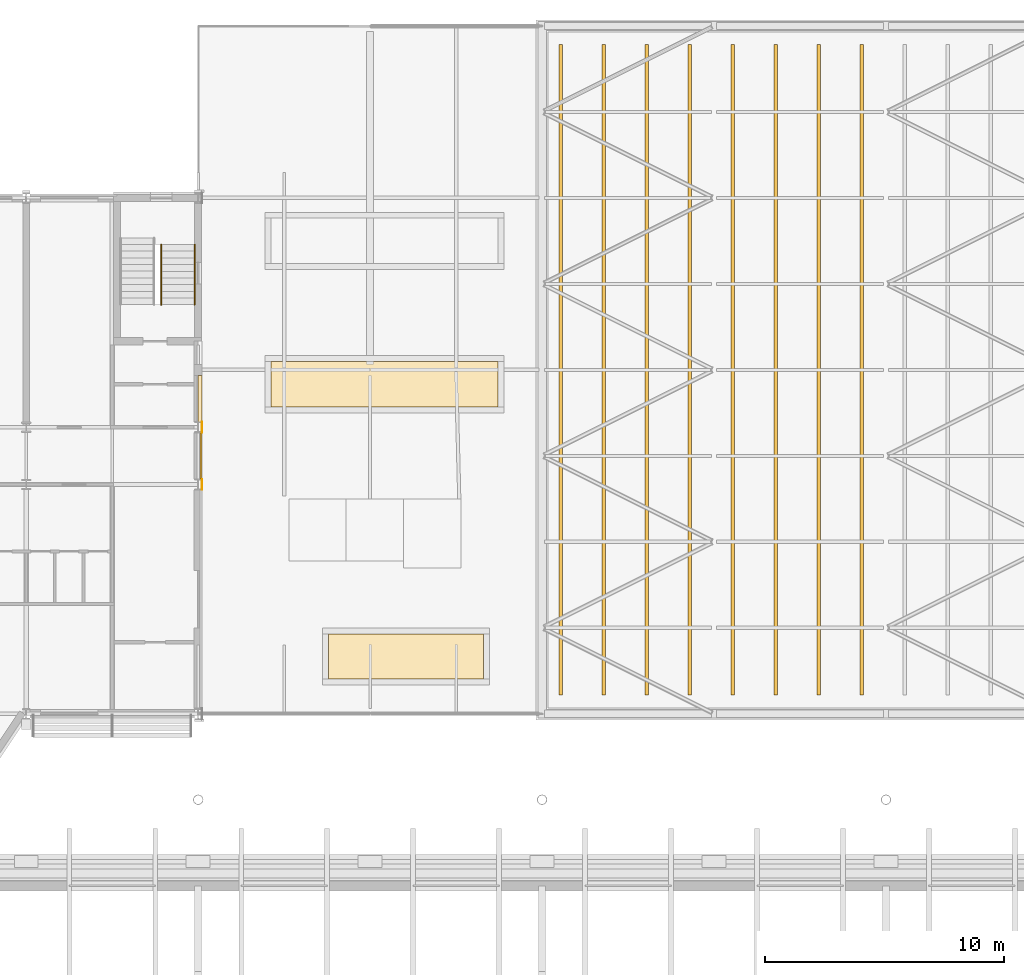
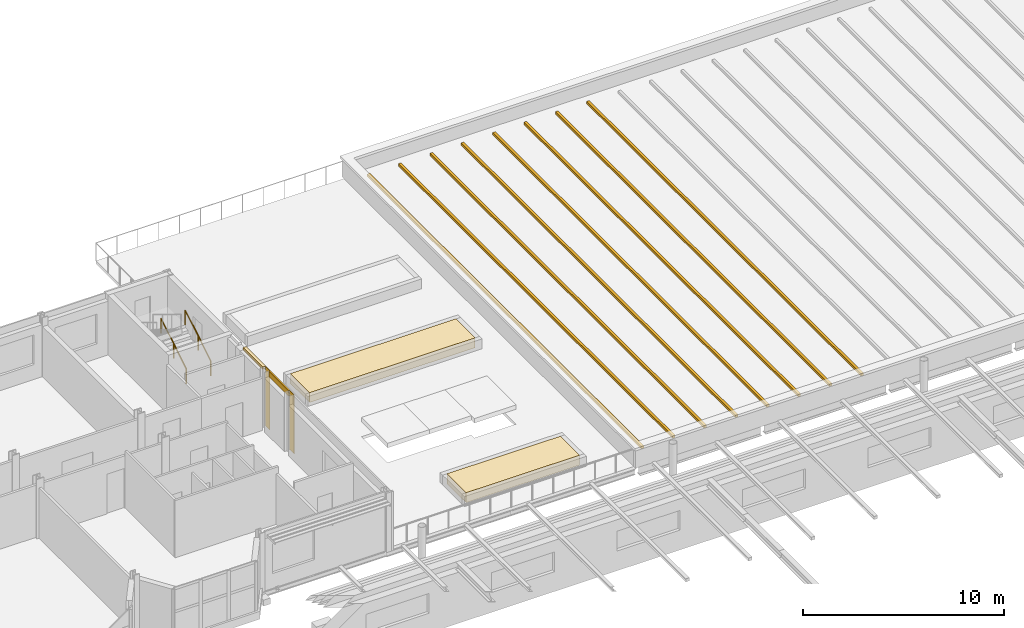
# One storey, part 107 of 110: 14 coverings, 2 railings.
"""IFC4 building model written with IfcOpenShell, lengths in metres."""

from ifc_helpers import new_model, si_unit, direction, frame, origin, origin_2d, place, context, subcontext, project, spatial, rectangle, circle, extrude, material, layer, layer_set, type_object, element, save


model = new_model("IFC4")

# Units and contexts
model_context = context("Model", 3, precision=1e-05, world=origin(), true_north=direction((0.0, 1.0)))
body_context = subcontext(model_context, "Body", "Model", "MODEL_VIEW")
ifc_project = project(units=[si_unit("LENGTHUNIT", "METRE"), si_unit("AREAUNIT", "SQUARE_METRE"), si_unit("VOLUMEUNIT", "CUBIC_METRE"), si_unit("PLANEANGLEUNIT", "RADIAN"), si_unit("MASSUNIT", "GRAM", prefix="KILO")], contexts=[model_context])

# Site, building, storey
site_placement = place(None, origin())
site = spatial("IfcSite", under=ifc_project, at=site_placement, CompositionType="ELEMENT")
building_placement = place(site_placement, origin())
building = spatial("IfcBuilding", under=site, at=building_placement, Name="Kupolbacken Congress Centre", CompositionType="ELEMENT")
storey_placement = place(building_placement, frame((0.0, 0.0, 18.0)))
storey = spatial("IfcBuildingStorey", under=building, at=storey_placement, Name="L05", CompositionType="ELEMENT", Elevation=18.0)

# Coverings
ifc_material_1 = material(Name="Limestone cladding", Category="masonry")
ifc_layer_1 = layer(ifc_material_1, 0.1201171875)
ifc_layer_set_1 = layer_set([ifc_layer_1], Name="Limestone cladding")
covering_type_1 = type_object("IfcCoveringType", Name="CV1 limestone cladding band 120", PredefinedType="CLADDING", material=ifc_layer_set_1)
covering_1_placement = place(storey_placement, frame((136.927490234375, 133.199951171875, 3.259765625), z_axis=(0.0, 0.0, 1.0), x_axis=(0.0, 1.0, 0.0)))
element("IfcCovering", 1, at=covering_1_placement, inside=storey, type_object=covering_type_1, Name="E/T/E/L05/062/band", PredefinedType="CLADDING", context=body_context, shape_type="SweptSolid", body=[
    extrude(rectangle(XDim=1.949951171875, YDim=0.0849609375, at=origin_2d()), origin(), (0.0, 0.0, 1.0), 0.340087890625),
])
covering_2_placement = place(storey_placement, frame((136.885009765625, 135.60009765625, 3.4599609375), z_axis=(0.0, 0.0, 1.0), x_axis=(0.0, 1.0, 0.0)))
element("IfcCovering", 2, at=covering_2_placement, inside=storey, type_object=covering_type_1, Name="E/T/E/L05/063/band", PredefinedType="CLADDING", context=body_context, shape_type="SweptSolid", body=[
    extrude(rectangle(XDim=1.949951171875, YDim=0.169921875, at=origin_2d()), origin(), (0.0, 0.0, 1.0), 0.139892578125),
])
ifc_material_2 = material(Name="Standing seam zinc roofing on boarding", Category="metal")
ifc_layer_2 = layer(ifc_material_2, 0.080078125)
ifc_layer_set_2 = layer_set([ifc_layer_2], Name="Standing seam zinc roofing on boarding")
covering_type_2 = type_object("IfcCoveringType", Name="CV12 standing seam roof rib 80", PredefinedType="ROOFING", material=ifc_layer_set_2)
for number, where, z_axis, x_axis, name in (
    (3, (151.97998046875, 136.800048828125, 0.2900390625), (0.0, 0.0, 1.0), (0.0, 1.0, 0.0), "F/B/rib/00"),
    (4, (153.780029296875, 136.800048828125, 0.2900390625), (0.0, 0.0, 1.0), (0.0, 1.0, 0.0), "F/B/rib/01"),
    (5, (155.580078125, 136.800048828125, 0.2900390625), (0.0, 0.0, 1.0), (0.0, 1.0, 0.0), "F/B/rib/02"),
    (6, (157.3798828125, 136.800048828125, 0.2900390625), (0.0, 0.0, 1.0), (0.0, 1.0, 0.0), "F/B/rib/03"),
    (7, (159.179931640625, 136.800048828125, 0.2900390625), (0.0, 0.0, 1.0), (0.0, 1.0, 0.0), "F/B/rib/04"),
    (8, (160.97998046875, 136.800048828125, 0.2900390625), (0.0, 0.0, 1.0), (0.0, 1.0, 0.0), "F/B/rib/05"),
    (9, (162.780029296875, 136.800048828125, 0.2900390625), (0.0, 0.0, 1.0), (0.0, 1.0, 0.0), "F/B/rib/06"),
    (10, (164.580078125, 136.800048828125, 0.2900390625), (0.0, 0.0, 1.0), (0.0, 1.0, 0.0), "F/B/rib/07"),
):
    element("IfcCovering", number, at=place(storey_placement, frame(where, z_axis=z_axis, x_axis=x_axis)), inside=storey, type_object=covering_type_2, Name=name, PredefinedType="ROOFING", context=body_context, shape_type="SweptSolid", body=[
        extrude(rectangle(XDim=27.239990234375, YDim=0.14990234375, at=origin_2d()), origin(), (0.0, 0.0, 1.0), 0.14990234375),
    ])
ifc_material_3 = material(Name="Brick cladding", Category="masonry")
ifc_layer_3 = layer(ifc_material_3, 0.10791015625)
ifc_layer_set_3 = layer_set([ifc_layer_3], Name="Brick cladding")
covering_type_3 = type_object("IfcCoveringType", Name="CV2 brick cladding band 108", PredefinedType="CLADDING", material=ifc_layer_set_3)
for number, where, z_axis, x_axis, name in (
    (11, (136.9599609375, 132.0, 0.0), (0.0, 0.0, 1.0), (1.0, 0.0, 0.0), "E/T/pilaster/L05/C-T-20U+2400/E"),
    (12, (136.9599609375, 134.39990234375, 0.0), (0.0, 0.0, 1.0), (1.0, 0.0, 0.0), "E/T/pilaster/L05/C-T-20U+4800/E"),
):
    element("IfcCovering", number, at=place(storey_placement, frame(where, z_axis=z_axis, x_axis=x_axis)), inside=storey, type_object=covering_type_3, Name=name, PredefinedType="CLADDING", context=body_context, shape_type="SweptSolid", body=[
        extrude(rectangle(XDim=0.02001953125, YDim=0.449951171875, at=origin_2d()), origin(), (0.0, 0.0, 1.0), 3.60009765625),
    ])
ifc_material_4 = material(Name="Planting substrate", Category="soil")
ifc_layer_4 = layer(ifc_material_4, 0.60009765625)
ifc_layer_set_4 = layer_set([ifc_layer_4], Name="Planting substrate")
covering_type_4 = type_object("IfcCoveringType", Name="GR8 planting substrate 600", PredefinedType="FLOORING", material=ifc_layer_set_4)
covering_3_placement = place(storey_placement, frame((145.5, 124.800048828125, 0.0), z_axis=(0.0, 0.0, 1.0), x_axis=(1.0, 0.0, 0.0)))
element("IfcCovering", 13, at=covering_3_placement, inside=storey, type_object=covering_type_4, Name="Planting substrate", PredefinedType="FLOORING", context=body_context, shape_type="SweptSolid", body=[
    extrude(rectangle(XDim=6.5, YDim=1.89990234375, at=origin_2d()), origin(), (0.0, 0.0, 1.0), 0.60009765625),
])
covering_4_placement = place(storey_placement, frame((144.60009765625, 136.199951171875, 0.0), z_axis=(0.0, 0.0, 1.0), x_axis=(1.0, 0.0, 0.0)))
element("IfcCovering", 14, at=covering_4_placement, inside=storey, type_object=covering_type_4, Name="Planting substrate", PredefinedType="FLOORING", context=body_context, shape_type="SweptSolid", body=[
    extrude(rectangle(XDim=9.5, YDim=1.89990234375, at=origin_2d()), origin(), (0.0, 0.0, 1.0), 0.60009765625),
])

# Railings
ifc_material_5 = material(Name="Steel S235", Category="steel")
railing_type = type_object("IfcRailingType", Name="RL3 handrail wall-mounted 900", PredefinedType="HANDRAIL", material=ifc_material_5)
for number, where, name in (
    (15, (135.25, 139.530029296875, 0.17138671875), "C/stair/TS4/L05/HR1L"),
    (16, (136.64990234375, 139.530029296875, 0.17138671875), "C/stair/TS4/L05/HR1R"),
):
    element("IfcRailing", number, at=place(storey_placement, frame(where)), inside=storey, type_object=railing_type, Name=name, PredefinedType="HANDRAIL", context=body_context, shape_type="SweptSolid", body=[
        extrude(circle(Radius=0.02392578125, at=origin_2d()), frame((0.0, 0.0, 0.8759765625), z_axis=(0.0, 0.852836285881, 0.522178388565), x_axis=(-1.0, 0.0, 0.0)), (0.0, 0.0, 1.0), 2.954833984375),
        extrude(circle(Radius=0.02099609375, at=origin_2d()), origin(), (0.0, 0.0, 1.0), 0.851806640625),
        extrude(circle(Radius=0.02099609375, at=origin_2d()), frame((0.0, 1.260009765625, 0.771484375)), (0.0, 0.0, 1.0), 0.851806640625),
        extrude(circle(Radius=0.02099609375, at=origin_2d()), frame((0.0, 2.52001953125, 1.54296875)), (0.0, 0.0, 1.0), 0.851806640625),
    ])

save(model, "model.ifc")
